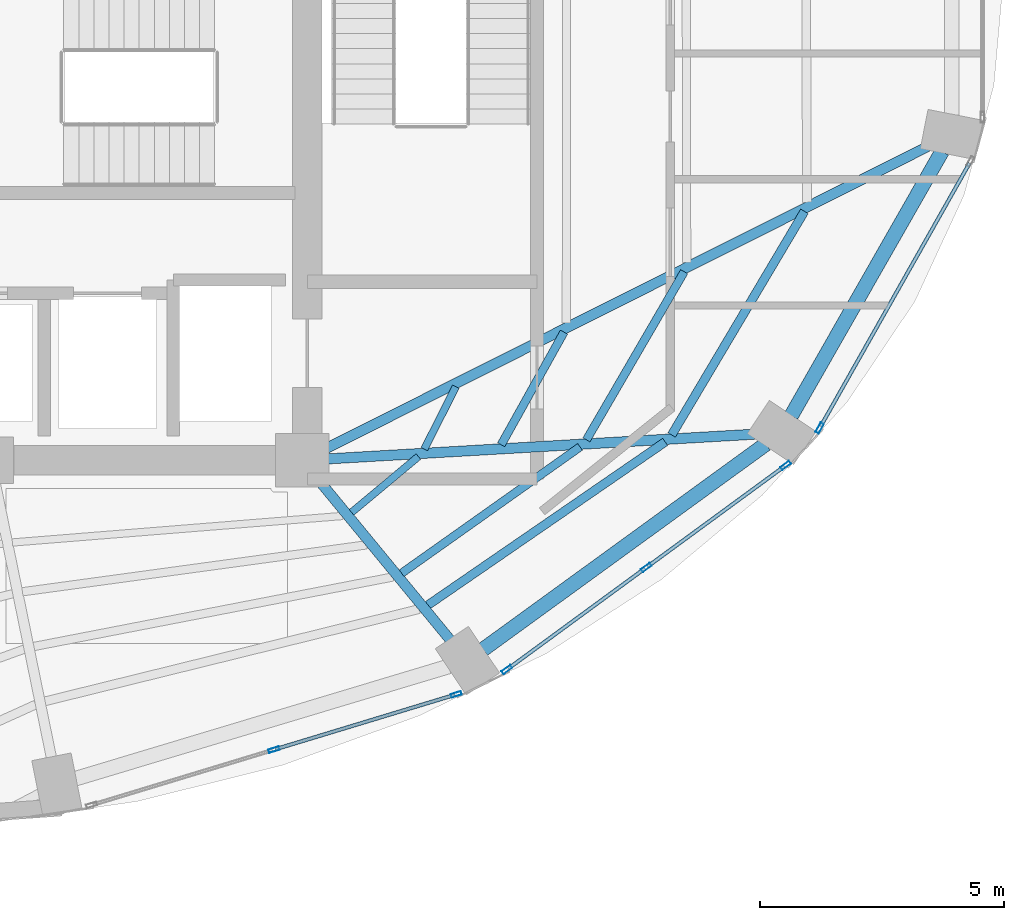
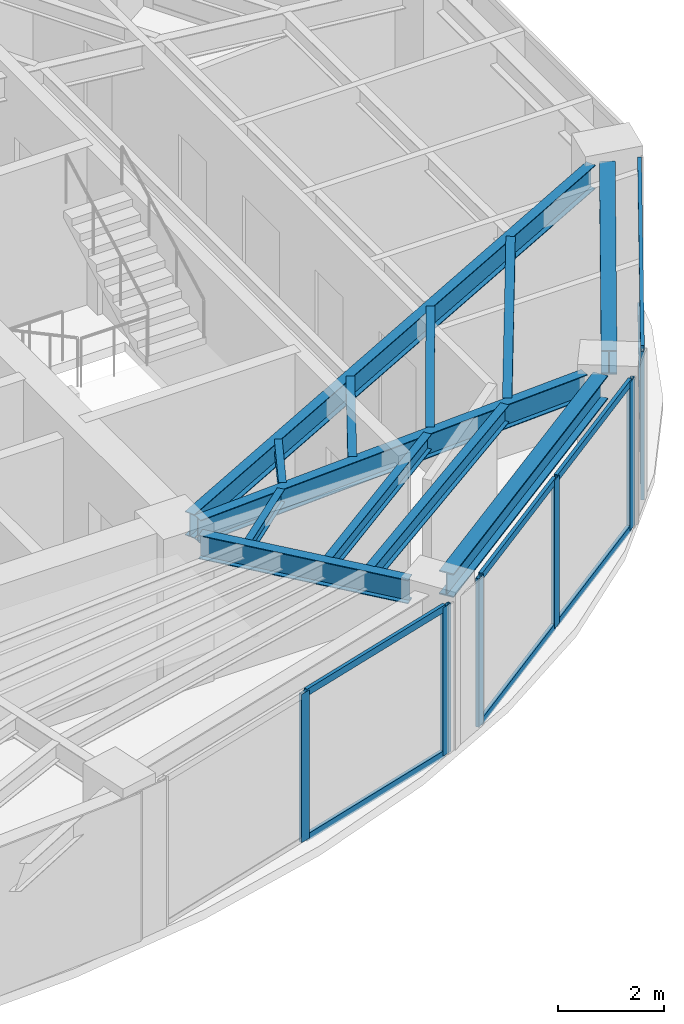
# One storey, part 9 of 20: 14 members, 12 beams, 3 elements without a shape of their own.
"""IFC4 building model written with IfcOpenShell, lengths in metres."""

from ifc_helpers import new_model, si_unit, direction, frame, origin, origin_2d, place, context, subcontext, project, spatial, hollow_rectangle, i_section, extrude, material, layer, layer_set, material_profile, profile_set, type_object, element, aggregate, save


model = new_model("IFC4")

# Units and contexts
model_context = context("Model", 3, precision=1e-05, world=origin(), true_north=direction((0.0, 1.0)))
body_context = subcontext(model_context, "Body", "Model", "MODEL_VIEW")
ifc_project = project(units=[si_unit("LENGTHUNIT", "METRE"), si_unit("AREAUNIT", "SQUARE_METRE"), si_unit("VOLUMEUNIT", "CUBIC_METRE"), si_unit("PLANEANGLEUNIT", "RADIAN"), si_unit("MASSUNIT", "GRAM", prefix="KILO")], contexts=[model_context])

# Site, building, storey
site_placement = place(None, origin())
site = spatial("IfcSite", under=ifc_project, at=site_placement, CompositionType="ELEMENT")
building_placement = place(site_placement, origin())
building = spatial("IfcBuilding", under=site, at=building_placement, Name="Lazwardi Medical Tower", CompositionType="ELEMENT")
storey_placement = place(building_placement, frame((0.0, 0.0, 156.528076171875)))
storey = spatial("IfcBuildingStorey", under=building, at=storey_placement, Name="L40", CompositionType="ELEMENT", Elevation=156.528076171875)

# Beams
ifc_material_1 = material(Name="Steel S355", Category="steel")
ifc_material_profile_1 = material_profile(ifc_material_1, i_section(OverallWidth=0.300048828125, OverallDepth=0.550048828125, WebThickness=0.014892578125, FlangeThickness=0.029052734375, at=origin_2d()), Name="HEB 550")
ifc_profile_set_1 = profile_set([ifc_material_profile_1], Name="Steel S355")
beam_type_1 = type_object("IfcBeamType", Name="BM-RB-Z3", PredefinedType="BEAM", material=ifc_profile_set_1)
beam_1_placement = place(storey_placement, frame((49.310302734375, 16.520751953125, 3.15283203125), z_axis=(0.809127570774, 0.587633026824, 0.0), x_axis=(-0.587633026824, 0.809127570774, 0.0)))
element("IfcBeam", 1, at=beam_1_placement, inside=storey, type_object=beam_type_1, Name="Ring beam RB-04 B02 L40", PredefinedType="BEAM", context=body_context, shape_type="SweptSolid", body=[
    extrude(i_section(OverallWidth=0.300048828125, OverallDepth=0.550048828125, WebThickness=0.014892578125, FlangeThickness=0.029052734375, at=origin_2d()), origin(), (0.0, 0.0, 1.0), 7.170166015625),
])
beam_2_placement = place(storey_placement, frame((55.6337890625, 21.316650390625, 3.15283203125), z_axis=(0.495477752551, 0.868620628771, 0.0), x_axis=(-0.868620628771, 0.495477752551, 0.0)))
element("IfcBeam", 2, at=beam_2_placement, inside=storey, type_object=beam_type_1, Name="Ring beam RB-04 B03 L40", PredefinedType="BEAM", context=body_context, shape_type="SweptSolid", body=[
    extrude(i_section(OverallWidth=0.300048828125, OverallDepth=0.550048828125, WebThickness=0.014892578125, FlangeThickness=0.029052734375, at=origin_2d()), origin(), (0.0, 0.0, 1.0), 6.244384765625),
])
ifc_material_profile_2 = material_profile(ifc_material_1, i_section(OverallWidth=0.2099609375, OverallDepth=0.550048828125, WebThickness=0.010986328125, FlangeThickness=0.01708984375, at=origin_2d()), Name="IPE 550")
ifc_profile_set_2 = profile_set([ifc_material_profile_2], Name="Steel S355")
beam_type_2 = type_object("IfcBeamType", Name="BM-RG-W2", PredefinedType="BEAM", material=ifc_profile_set_2)
beam_3_placement = place(storey_placement, frame((48.630615234375, 16.71826171875, 3.15283203125), z_axis=(-0.635555639966, 0.772055068312, 0.0), x_axis=(-0.772055068312, -0.635555639966, 0.0)))
element("IfcBeam", 3, at=beam_3_placement, inside=storey, type_object=beam_type_2, Name="Radial girder RG-03 R02 L40", PredefinedType="BEAM", context=body_context, shape_type="SweptSolid", body=[
    extrude(i_section(OverallWidth=0.2099609375, OverallDepth=0.550048828125, WebThickness=0.010986328125, FlangeThickness=0.01708984375, at=origin_2d()), origin(), (0.0, 0.0, 1.0), 4.233642578125),
])
beam_4_placement = place(storey_placement, frame((54.87646484375, 20.936767578125, 3.15283203125), z_axis=(-0.998330154646, -0.057765927014, 0.0), x_axis=(0.057765927014, -0.998330154646, 0.0)))
element("IfcBeam", 4, at=beam_4_placement, inside=storey, type_object=beam_type_2, Name="Radial girder RG-03 R03 L40", PredefinedType="BEAM", context=body_context, shape_type="SweptSolid", body=[
    extrude(i_section(OverallWidth=0.2099609375, OverallDepth=0.550048828125, WebThickness=0.010986328125, FlangeThickness=0.01708984375, at=origin_2d()), origin(), (0.0, 0.0, 1.0), 8.757080078125),
])
beam_5_placement = place(storey_placement, frame((58.42529296875, 26.837158203125, 3.15283203125), z_axis=(-0.893740468624, -0.448584412061, 0.0), x_axis=(0.448584412061, -0.893740468624, 0.0)))
element("IfcBeam", 5, at=beam_5_placement, inside=storey, type_object=beam_type_2, Name="Radial girder RG-03 R04 L40", PredefinedType="BEAM", context=body_context, shape_type="SweptSolid", body=[
    extrude(i_section(OverallWidth=0.2099609375, OverallDepth=0.550048828125, WebThickness=0.010986328125, FlangeThickness=0.01708984375, at=origin_2d()), origin(), (0.0, 0.0, 1.0), 13.815185546875),
])
ifc_material_profile_3 = material_profile(ifc_material_1, i_section(OverallWidth=0.179931640625, OverallDepth=0.39990234375, WebThickness=0.008544921875, FlangeThickness=0.013427734375, at=origin_2d()), Name="IPE 400")
ifc_profile_set_3 = profile_set([ifc_material_profile_3], Name="Steel S355")
beam_type_3 = type_object("IfcBeamType", Name="BM-SJ-01", PredefinedType="JOIST", material=ifc_profile_set_3)
beam_6_placement = place(storey_placement, frame((48.1748046875, 17.4287109375, 3.22802734375), z_axis=(0.823932256005, 0.566688307198, 0.0), x_axis=(-0.566688307198, 0.823932256005, 0.0)))
element("IfcBeam", 6, at=beam_6_placement, inside=storey, type_object=beam_type_3, Name="Secondary joist SJ-01 R1 B02 L40", PredefinedType="JOIST", context=body_context, shape_type="SweptSolid", body=[
    extrude(i_section(OverallWidth=0.179931640625, OverallDepth=0.39990234375, WebThickness=0.008544921875, FlangeThickness=0.013427734375, at=origin_2d()), origin(), (0.0, 0.0, 1.0), 5.91162109375),
])
beam_7_placement = place(storey_placement, frame((53.17919921875, 20.921630859375, 3.22802734375), z_axis=(0.510569396963, 0.859836548935, 0.0), x_axis=(-0.859836548935, 0.510569396963, 0.0)))
element("IfcBeam", 7, at=beam_7_placement, inside=storey, type_object=beam_type_3, Name="Secondary joist SJ-01 R1 B03 L40", PredefinedType="JOIST", context=body_context, shape_type="SweptSolid", body=[
    extrude(i_section(OverallWidth=0.179931640625, OverallDepth=0.39990234375, WebThickness=0.008544921875, FlangeThickness=0.013427734375, at=origin_2d()), origin(), (0.0, 0.0, 1.0), 5.33837890625),
])
ifc_material_profile_4 = material_profile(ifc_material_1, i_section(OverallWidth=0.169921875, OverallDepth=0.360107421875, WebThickness=0.008056640625, FlangeThickness=0.0126953125, at=origin_2d()), Name="IPE 360")
ifc_profile_set_4 = profile_set([ifc_material_profile_4], Name="Steel S355")
beam_type_4 = type_object("IfcBeamType", Name="BM-SJ-02", PredefinedType="JOIST", material=ifc_profile_set_4)
beam_8_placement = place(storey_placement, frame((47.635986328125, 18.08349609375, 3.247802734375), z_axis=(0.816108950798, 0.577898070967, 0.0), x_axis=(-0.577898070967, 0.816108950798, 0.0)))
element("IfcBeam", 8, at=beam_8_placement, inside=storey, type_object=beam_type_4, Name="Secondary joist SJ-02 R2 B02 L40", PredefinedType="JOIST", context=body_context, shape_type="SweptSolid", body=[
    extrude(i_section(OverallWidth=0.169921875, OverallDepth=0.360107421875, WebThickness=0.008056640625, FlangeThickness=0.0126953125, at=origin_2d()), origin(), (0.0, 0.0, 1.0), 4.487060546875),
])
beam_9_placement = place(storey_placement, frame((51.4296875, 20.82080078125, 3.247802734375), z_axis=(0.502665102216, 0.864481228839, 0.0), x_axis=(-0.864481228839, 0.502665102216, 0.0)))
element("IfcBeam", 9, at=beam_9_placement, inside=storey, type_object=beam_type_4, Name="Secondary joist SJ-02 R2 B03 L40", PredefinedType="JOIST", context=body_context, shape_type="SweptSolid", body=[
    extrude(i_section(OverallWidth=0.169921875, OverallDepth=0.360107421875, WebThickness=0.008056640625, FlangeThickness=0.0126953125, at=origin_2d()), origin(), (0.0, 0.0, 1.0), 3.991943359375),
])
beam_10_placement = place(storey_placement, frame((49.6796875, 20.720703125, 3.247802734375), z_axis=(0.487099444348, 0.87334651274, 0.0), x_axis=(-0.87334651274, 0.487099444348, 0.0)))
element("IfcBeam", 10, at=beam_10_placement, inside=storey, type_object=beam_type_4, Name="Secondary joist SJ-02 R3 B03 L40", PredefinedType="JOIST", context=body_context, shape_type="SweptSolid", body=[
    extrude(i_section(OverallWidth=0.169921875, OverallDepth=0.360107421875, WebThickness=0.008056640625, FlangeThickness=0.0126953125, at=origin_2d()), origin(), (0.0, 0.0, 1.0), 2.64599609375),
])
ifc_material_profile_5 = material_profile(ifc_material_1, i_section(OverallWidth=0.14990234375, OverallDepth=0.300048828125, WebThickness=0.007080078125, FlangeThickness=0.0107421875, at=origin_2d()), Name="IPE 300")
ifc_profile_set_5 = profile_set([ifc_material_profile_5], Name="Steel S355")
beam_type_5 = type_object("IfcBeamType", Name="BM-SJ-03", PredefinedType="JOIST", material=ifc_profile_set_5)
beam_11_placement = place(storey_placement, frame((46.608642578125, 19.331787109375, 3.27783203125), z_axis=(0.767437193893, 0.641124132621, 0.0), x_axis=(-0.641124132621, 0.767437193893, 0.0)))
element("IfcBeam", 11, at=beam_11_placement, inside=storey, type_object=beam_type_5, Name="Secondary joist SJ-03 R4 B02 L40", PredefinedType="JOIST", context=body_context, shape_type="SweptSolid", body=[
    extrude(i_section(OverallWidth=0.14990234375, OverallDepth=0.300048828125, WebThickness=0.007080078125, FlangeThickness=0.0107421875, at=origin_2d()), origin(), (0.0, 0.0, 1.0), 1.787841796875),
])
beam_12_placement = place(storey_placement, frame((48.1025390625, 20.631591796875, 3.27783203125), z_axis=(0.450406075332, 0.892823816497, 0.0), x_axis=(-0.892823816497, 0.450406075332, 0.0)))
element("IfcBeam", 12, at=beam_12_placement, inside=storey, type_object=beam_type_5, Name="Secondary joist SJ-03 R4 B03 L40", PredefinedType="JOIST", context=body_context, shape_type="SweptSolid", body=[
    extrude(i_section(OverallWidth=0.14990234375, OverallDepth=0.300048828125, WebThickness=0.007080078125, FlangeThickness=0.0107421875, at=origin_2d()), origin(), (0.0, 0.0, 1.0), 1.4365234375),
])

# Curtain wall, members
ifc_material_2 = material(Name="Anodised bronze aluminium and solar control glazing", Category="aluminium")
ifc_layer = layer(ifc_material_2, 0.195068359375)
ifc_layer_set = layer_set([ifc_layer], Name="Anodised bronze aluminium and solar control glazing")
curtain_wall_type = type_object("IfcCurtainWallType", Name="CW-SYS-03", PredefinedType="NOTDEFINED", material=ifc_layer_set)
curtain_wall_1_placement = place(storey_placement, origin())
curtain_wall_1 = element("IfcCurtainWall", 13, at=curtain_wall_1_placement, inside=storey, type_object=curtain_wall_type, Name="L40 Unitised bronze curtain wall CW-03", PredefinedType="NOTDEFINED")
ifc_material_3 = material(Name="Anodised bronze aluminium", Category="aluminium")
ifc_material_profile_6 = material_profile(ifc_material_3, hollow_rectangle(XDim=0.074951171875, YDim=0.219970703125, WallThickness=0.00390625, at=origin_2d()), Name="ALU-MULLION 220x75x4")
ifc_profile_set_6 = profile_set([ifc_material_profile_6], Name="Anodised bronze aluminium")
member_type_1 = type_object("IfcMemberType", Name="CW-MUL-01", PredefinedType="MULLION", material=ifc_profile_set_6)
member_1_placement = place(storey_placement, frame((45.01513671875, 14.461181640625, 0.0), z_axis=(0.0, 0.0, 1.0), x_axis=(-0.290280785441, 0.956941516292, 0.0)))
member_1 = element("IfcMember", 14, at=member_1_placement, type_object=member_type_1, Name="CW-03 mullion 2", PredefinedType="MULLION", context=body_context, shape_type="SweptSolid", body=[
    extrude(hollow_rectangle(XDim=0.074951171875, YDim=0.219970703125, WallThickness=0.00390625, at=origin_2d()), origin(), (0.0, 0.0, 1.0), 3.427978515625),
])
member_2_placement = place(storey_placement, frame((48.758056640625, 15.5966796875, 0.0), z_axis=(0.0, 0.0, 1.0), x_axis=(-0.290280785441, 0.956941516292, 0.0)))
member_2 = element("IfcMember", 15, at=member_2_placement, type_object=member_type_1, Name="CW-03 mullion 3", PredefinedType="MULLION", context=body_context, shape_type="SweptSolid", body=[
    extrude(hollow_rectangle(XDim=0.074951171875, YDim=0.219970703125, WallThickness=0.00390625, at=origin_2d()), origin(), (0.0, 0.0, 1.0), 3.427978515625),
])

curtain_wall_2_placement = place(storey_placement, origin())
curtain_wall_2 = element("IfcCurtainWall", 16, at=curtain_wall_2_placement, inside=storey, type_object=curtain_wall_type, Name="L40 Unitised bronze curtain wall CW-03", PredefinedType="NOTDEFINED")
member_3_placement = place(storey_placement, frame((49.795654296875, 16.105224609375, 0.0), z_axis=(0.0, 0.0, 1.0), x_axis=(-0.590833862635, 0.806793249082, 0.0)))
member_3 = element("IfcMember", 17, at=member_3_placement, type_object=member_type_1, Name="CW-03 mullion 1", PredefinedType="MULLION", context=body_context, shape_type="SweptSolid", body=[
    extrude(hollow_rectangle(XDim=0.074951171875, YDim=0.219970703125, WallThickness=0.00390625, at=origin_2d()), origin(), (0.0, 0.0, 1.0), 3.427978515625),
])
member_4_placement = place(storey_placement, frame((52.65771484375, 18.201171875, 0.0), z_axis=(0.0, 0.0, 1.0), x_axis=(-0.590833862635, 0.806793249082, 0.0)))
member_4 = element("IfcMember", 18, at=member_4_placement, type_object=member_type_1, Name="CW-03 mullion 2", PredefinedType="MULLION", context=body_context, shape_type="SweptSolid", body=[
    extrude(hollow_rectangle(XDim=0.074951171875, YDim=0.219970703125, WallThickness=0.00390625, at=origin_2d()), origin(), (0.0, 0.0, 1.0), 3.427978515625),
])
member_5_placement = place(storey_placement, frame((55.519775390625, 20.297119140625, 0.0), z_axis=(0.0, 0.0, 1.0), x_axis=(-0.590833862635, 0.806793249082, 0.0)))
member_5 = element("IfcMember", 19, at=member_5_placement, type_object=member_type_1, Name="CW-03 mullion 3", PredefinedType="MULLION", context=body_context, shape_type="SweptSolid", body=[
    extrude(hollow_rectangle(XDim=0.074951171875, YDim=0.219970703125, WallThickness=0.00390625, at=origin_2d()), origin(), (0.0, 0.0, 1.0), 3.427978515625),
])

# Curtain wall, member
curtain_wall_3_placement = place(storey_placement, origin())
curtain_wall_3 = element("IfcCurtainWall", 20, at=curtain_wall_3_placement, inside=storey, type_object=curtain_wall_type, Name="L40 Unitised bronze curtain wall CW-03", PredefinedType="NOTDEFINED")
member_6_placement = place(storey_placement, frame((56.217529296875, 21.063232421875, 0.0), z_axis=(0.0, 0.0, 1.0), x_axis=(-0.870418989303, 0.492311672683, 0.0)))
member_6 = element("IfcMember", 21, at=member_6_placement, type_object=member_type_1, Name="CW-03 mullion 1", PredefinedType="MULLION", context=body_context, shape_type="SweptSolid", body=[
    extrude(hollow_rectangle(XDim=0.074951171875, YDim=0.219970703125, WallThickness=0.00390625, at=origin_2d()), origin(), (0.0, 0.0, 1.0), 3.427978515625),
])

# Member
ifc_material_profile_7 = material_profile(ifc_material_3, hollow_rectangle(XDim=0.074951171875, YDim=0.159912109375, WallThickness=0.00390625, at=origin_2d()), Name="ALU-TRANSOM 160x75x4")
ifc_profile_set_7 = profile_set([ifc_material_profile_7], Name="Anodised bronze aluminium")
member_type_2 = type_object("IfcMemberType", Name="CW-TRN-01", PredefinedType="USERDEFINED", material=ifc_profile_set_7)
member_7_placement = place(storey_placement, frame((45.051025390625, 14.47216796875, 0.037353515625), z_axis=(0.956930154175, 0.290318239233, 0.0), x_axis=(-0.290318239233, 0.956930154175, 0.0)))
member_7 = element("IfcMember", 22, at=member_7_placement, type_object=member_type_2, Name="CW-03 transom 2.1", ObjectType="TRANSOM", PredefinedType="USERDEFINED", context=body_context, shape_type="SweptSolid", body=[
    extrude(hollow_rectangle(XDim=0.074951171875, YDim=0.159912109375, WallThickness=0.00390625, at=origin_2d()), origin(), (0.0, 0.0, 1.0), 3.83642578125),
])

member_8_placement = place(storey_placement, frame((45.051025390625, 14.47216796875, 3.390380859375), z_axis=(0.956930154175, 0.290318239233, 0.0), x_axis=(-0.290318239233, 0.956930154175, 0.0)))
member_8 = element("IfcMember", 23, at=member_8_placement, type_object=member_type_2, Name="CW-03 transom 2.2", ObjectType="TRANSOM", PredefinedType="USERDEFINED", context=body_context, shape_type="SweptSolid", body=[
    extrude(hollow_rectangle(XDim=0.074951171875, YDim=0.159912109375, WallThickness=0.00390625, at=origin_2d()), origin(), (0.0, 0.0, 1.0), 3.83642578125),
])

aggregate(curtain_wall_1, [member_1, member_2, member_7, member_8])

member_9_placement = place(storey_placement, frame((49.825927734375, 16.127197265625, 0.037353515625), z_axis=(0.806773646358, 0.590860629542, 0.0), x_axis=(-0.590860629542, 0.806773646358, 0.0)))
member_9 = element("IfcMember", 24, at=member_9_placement, type_object=member_type_2, Name="CW-03 transom 1.1", ObjectType="TRANSOM", PredefinedType="USERDEFINED", context=body_context, shape_type="SweptSolid", body=[
    extrude(hollow_rectangle(XDim=0.074951171875, YDim=0.159912109375, WallThickness=0.00390625, at=origin_2d()), origin(), (0.0, 0.0, 1.0), 3.472412109375),
])

member_10_placement = place(storey_placement, frame((49.825927734375, 16.127197265625, 3.390380859375), z_axis=(0.806773646358, 0.590860629542, 0.0), x_axis=(-0.590860629542, 0.806773646358, 0.0)))
member_10 = element("IfcMember", 25, at=member_10_placement, type_object=member_type_2, Name="CW-03 transom 1.2", ObjectType="TRANSOM", PredefinedType="USERDEFINED", context=body_context, shape_type="SweptSolid", body=[
    extrude(hollow_rectangle(XDim=0.074951171875, YDim=0.159912109375, WallThickness=0.00390625, at=origin_2d()), origin(), (0.0, 0.0, 1.0), 3.472412109375),
])

member_11_placement = place(storey_placement, frame((52.68798828125, 18.22314453125, 0.037353515625), z_axis=(0.806773646358, 0.590860629542, 0.0), x_axis=(-0.590860629542, 0.806773646358, 0.0)))
member_11 = element("IfcMember", 26, at=member_11_placement, type_object=member_type_2, Name="CW-03 transom 2.1", ObjectType="TRANSOM", PredefinedType="USERDEFINED", context=body_context, shape_type="SweptSolid", body=[
    extrude(hollow_rectangle(XDim=0.074951171875, YDim=0.159912109375, WallThickness=0.00390625, at=origin_2d()), origin(), (0.0, 0.0, 1.0), 3.472412109375),
])

member_12_placement = place(storey_placement, frame((52.68798828125, 18.22314453125, 3.390380859375), z_axis=(0.806773646358, 0.590860629542, 0.0), x_axis=(-0.590860629542, 0.806773646358, 0.0)))
member_12 = element("IfcMember", 27, at=member_12_placement, type_object=member_type_2, Name="CW-03 transom 2.2", ObjectType="TRANSOM", PredefinedType="USERDEFINED", context=body_context, shape_type="SweptSolid", body=[
    extrude(hollow_rectangle(XDim=0.074951171875, YDim=0.159912109375, WallThickness=0.00390625, at=origin_2d()), origin(), (0.0, 0.0, 1.0), 3.472412109375),
])

aggregate(curtain_wall_2, [member_3, member_4, member_5, member_9, member_10, member_11, member_12])

member_13_placement = place(storey_placement, frame((56.236083984375, 21.095947265625, 0.037353515625), z_axis=(0.492322860598, 0.870412661289, 0.0), x_axis=(-0.870412661289, 0.492322860598, 0.0)))
member_13 = element("IfcMember", 28, at=member_13_placement, type_object=member_type_2, Name="CW-03 transom 1.1", ObjectType="TRANSOM", PredefinedType="USERDEFINED", context=body_context, shape_type="SweptSolid", body=[
    extrude(hollow_rectangle(XDim=0.074951171875, YDim=0.159912109375, WallThickness=0.00390625, at=origin_2d()), origin(), (0.0, 0.0, 1.0), 6.20849609375),
])

member_14_placement = place(storey_placement, frame((56.236083984375, 21.095947265625, 3.390380859375), z_axis=(0.492322860598, 0.870412661289, 0.0), x_axis=(-0.870412661289, 0.492322860598, 0.0)))
member_14 = element("IfcMember", 29, at=member_14_placement, type_object=member_type_2, Name="CW-03 transom 1.2", ObjectType="TRANSOM", PredefinedType="USERDEFINED", context=body_context, shape_type="SweptSolid", body=[
    extrude(hollow_rectangle(XDim=0.074951171875, YDim=0.159912109375, WallThickness=0.00390625, at=origin_2d()), origin(), (0.0, 0.0, 1.0), 6.20849609375),
])

aggregate(curtain_wall_3, [member_6, member_13, member_14])

save(model, "model.ifc")
